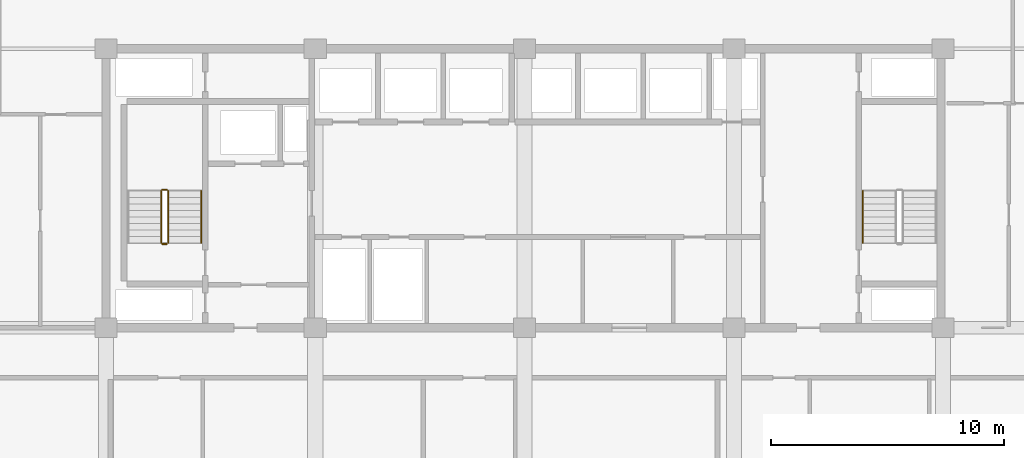
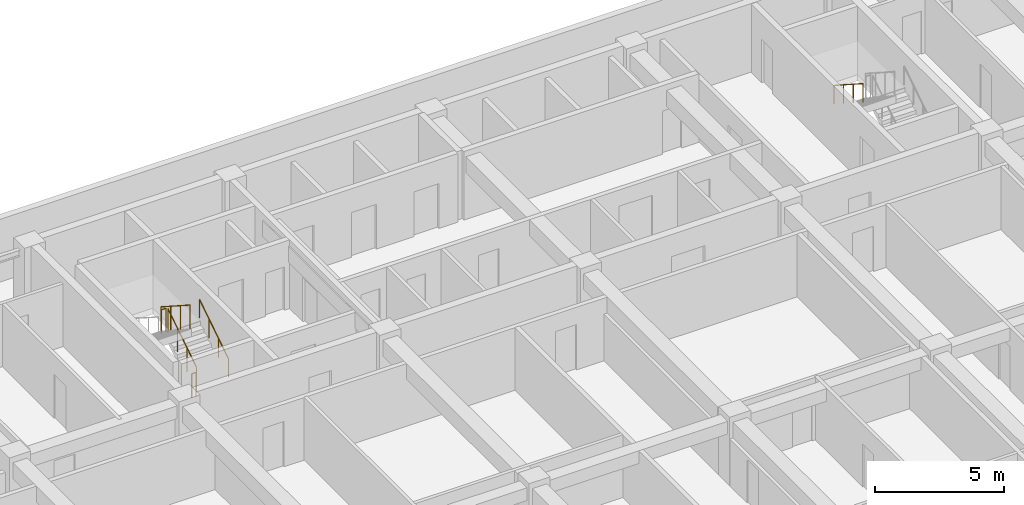
# One storey, part 21 of 24: 6 railings.
"""IFC4 building model written with IfcOpenShell, lengths in metres."""

from ifc_helpers import new_model, si_unit, direction, frame, origin, origin_2d, place, context, subcontext, project, spatial, circle, extrude, material, type_object, element, save


model = new_model("IFC4")

# Units and contexts
model_context = context("Model", 3, precision=1e-05, world=origin(), true_north=direction((0.0, 1.0)))
body_context = subcontext(model_context, "Body", "Model", "MODEL_VIEW")
ifc_project = project(units=[si_unit("LENGTHUNIT", "METRE"), si_unit("AREAUNIT", "SQUARE_METRE"), si_unit("VOLUMEUNIT", "CUBIC_METRE"), si_unit("PLANEANGLEUNIT", "RADIAN"), si_unit("MASSUNIT", "GRAM", prefix="KILO")], contexts=[model_context])

# Site, building, storey
site_placement = place(None, origin())
site = spatial("IfcSite", under=ifc_project, at=site_placement, CompositionType="ELEMENT")
building_placement = place(site_placement, origin())
building = spatial("IfcBuilding", under=site, at=building_placement, Name="Korimba Cascade Residences", CompositionType="ELEMENT")
storey_placement = place(building_placement, frame((0.0, 0.0, 63.0)))
storey = spatial("IfcBuildingStorey", under=building, at=storey_placement, Name="L17", CompositionType="ELEMENT", Elevation=63.0)

# Railings
ifc_material_1 = material(Name="Painted Steel Stairwell Guardrail", Category="steel")
railing_type_1 = type_object("IfcRailingType", Name="RLG-ST-GD1150", PredefinedType="GUARDRAIL", material=ifc_material_1)
railing_1_placement = place(storey_placement, frame((84.77001953125, 22.050048828125, 0.1806640625)))
element("IfcRailing", 1, at=railing_1_placement, inside=storey, type_object=railing_type_1, Name="L17 ST-E1 stair guard 1", PredefinedType="GUARDRAIL", context=body_context, shape_type="SweptSolid", body=[
    extrude(circle(Radius=0.02392578125, at=origin_2d()), frame((0.0, 0.0, 1.1259765625), z_axis=(0.0, 0.840436612492, 0.541909863706), x_axis=(-1.0, 0.0, 0.0)), (0.0, 0.0, 1.0), 2.665283203125),
    extrude(circle(Radius=0.02099609375, at=origin_2d()), origin(), (0.0, 0.0, 1.0), 1.101806640625),
    extrude(circle(Radius=0.02099609375, at=origin_2d()), frame((0.0, 0.74658203125, 0.4814453125)), (0.0, 0.0, 1.0), 1.101806640625),
    extrude(circle(Radius=0.02099609375, at=origin_2d()), frame((0.0, 1.493408203125, 0.962890625)), (0.0, 0.0, 1.0), 1.101806640625),
    extrude(circle(Radius=0.02099609375, at=origin_2d()), frame((0.0, 2.239990234375, 1.4443359375)), (0.0, 0.0, 1.0), 1.101806640625),
])
railing_2_placement = place(storey_placement, frame((84.719970703125, 24.340087890625, 1.625)))
element("IfcRailing", 2, at=railing_2_placement, inside=storey, type_object=railing_type_1, Name="L17 ST-E1 stair guard 2", PredefinedType="GUARDRAIL", context=body_context, shape_type="SweptSolid", body=[
    extrude(circle(Radius=0.02392578125, at=origin_2d()), frame((0.0, 0.0, 1.1259765625), z_axis=(-1.0, 0.0, 0.0), x_axis=(0.0, -1.0, 0.0)), (0.0, 0.0, 1.0), 0.199951171875),
    extrude(circle(Radius=0.02099609375, at=origin_2d()), origin(), (0.0, 0.0, 1.0), 1.101806640625),
    extrude(circle(Radius=0.02099609375, at=origin_2d()), frame((-0.199951171875, 0.0, 0.0)), (0.0, 0.0, 1.0), 1.101806640625),
])
railing_3_placement = place(storey_placement, frame((84.469970703125, 24.2900390625, 1.8056640625)))
element("IfcRailing", 3, at=railing_3_placement, inside=storey, type_object=railing_type_1, Name="L17 ST-E1 stair guard 3", PredefinedType="GUARDRAIL", context=body_context, shape_type="SweptSolid", body=[
    extrude(circle(Radius=0.02392578125, at=origin_2d()), frame((0.0, 0.0, 1.1259765625), z_axis=(0.0, -0.840436612492, 0.541909863706), x_axis=(1.0, 0.0, 0.0)), (0.0, 0.0, 1.0), 2.665283203125),
    extrude(circle(Radius=0.02099609375, at=origin_2d()), origin(), (0.0, 0.0, 1.0), 1.101806640625),
    extrude(circle(Radius=0.02099609375, at=origin_2d()), frame((0.0, -0.74658203125, 0.4814453125)), (0.0, 0.0, 1.0), 1.101806640625),
    extrude(circle(Radius=0.02099609375, at=origin_2d()), frame((0.0, -1.493408203125, 0.962890625)), (0.0, 0.0, 1.0), 1.101806640625),
    extrude(circle(Radius=0.02099609375, at=origin_2d()), frame((0.0, -2.239990234375, 1.4443359375)), (0.0, 0.0, 1.0), 1.101806640625),
])
railing_4_placement = place(storey_placement, frame((84.719970703125, 22.0, 0.0)))
element("IfcRailing", 4, at=railing_4_placement, inside=storey, type_object=railing_type_1, Name="L17 ST-E1 stair guard 4", PredefinedType="GUARDRAIL", context=body_context, shape_type="SweptSolid", body=[
    extrude(circle(Radius=0.02392578125, at=origin_2d()), frame((0.0, 0.0, 1.1259765625), z_axis=(-1.0, 0.0, 0.0), x_axis=(0.0, -1.0, 0.0)), (0.0, 0.0, 1.0), 0.199951171875),
    extrude(circle(Radius=0.02099609375, at=origin_2d()), origin(), (0.0, 0.0, 1.0), 1.101806640625),
    extrude(circle(Radius=0.02099609375, at=origin_2d()), frame((-0.199951171875, 0.0, 0.0)), (0.0, 0.0, 1.0), 1.101806640625),
])
ifc_material_2 = material(Name="Brushed Stainless Steel Handrail", Category="steel")
railing_type_2 = type_object("IfcRailingType", Name="RLG-ST-HR900", PredefinedType="HANDRAIL", material=ifc_material_2)
railing_5_placement = place(storey_placement, frame((86.18994140625, 22.050048828125, 0.364990234375)))
element("IfcRailing", 5, at=railing_5_placement, inside=storey, type_object=railing_type_2, Name="L17 ST-E1 stair handrail 1", PredefinedType="HANDRAIL", context=body_context, shape_type="SweptSolid", body=[
    extrude(circle(Radius=0.02392578125, at=origin_2d()), frame((0.0, 0.0, 0.8759765625), z_axis=(0.0, 0.840436612492, 0.541909863706), x_axis=(-1.0, 0.0, 0.0)), (0.0, 0.0, 1.0), 2.665283203125),
    extrude(circle(Radius=0.02099609375, at=origin_2d()), origin(), (0.0, 0.0, 1.0), 0.851806640625),
    extrude(circle(Radius=0.02099609375, at=origin_2d()), frame((0.0, 0.74658203125, 0.4814453125)), (0.0, 0.0, 1.0), 0.851806640625),
    extrude(circle(Radius=0.02099609375, at=origin_2d()), frame((0.0, 1.493408203125, 0.962890625)), (0.0, 0.0, 1.0), 0.851806640625),
    extrude(circle(Radius=0.02099609375, at=origin_2d()), frame((0.0, 2.239990234375, 1.4443359375)), (0.0, 0.0, 1.0), 0.851806640625),
])
railing_6_placement = place(storey_placement, frame((114.64990234375, 24.2900390625, 1.989990234375)))
element("IfcRailing", 6, at=railing_6_placement, inside=storey, type_object=railing_type_2, Name="L17 ST-E2 stair handrail 2", PredefinedType="HANDRAIL", context=body_context, shape_type="SweptSolid", body=[
    extrude(circle(Radius=0.02392578125, at=origin_2d()), frame((0.0, 0.0, 0.8759765625), z_axis=(0.0, -0.840436612492, 0.541909863706), x_axis=(1.0, 0.0, 0.0)), (0.0, 0.0, 1.0), 2.665283203125),
    extrude(circle(Radius=0.02099609375, at=origin_2d()), origin(), (0.0, 0.0, 1.0), 0.851806640625),
    extrude(circle(Radius=0.02099609375, at=origin_2d()), frame((0.0, -0.74658203125, 0.4814453125)), (0.0, 0.0, 1.0), 0.851806640625),
    extrude(circle(Radius=0.02099609375, at=origin_2d()), frame((0.0, -1.493408203125, 0.962890625)), (0.0, 0.0, 1.0), 0.851806640625),
    extrude(circle(Radius=0.02099609375, at=origin_2d()), frame((0.0, -2.239990234375, 1.4443359375)), (0.0, 0.0, 1.0), 0.851806640625),
])

save(model, "model.ifc")
